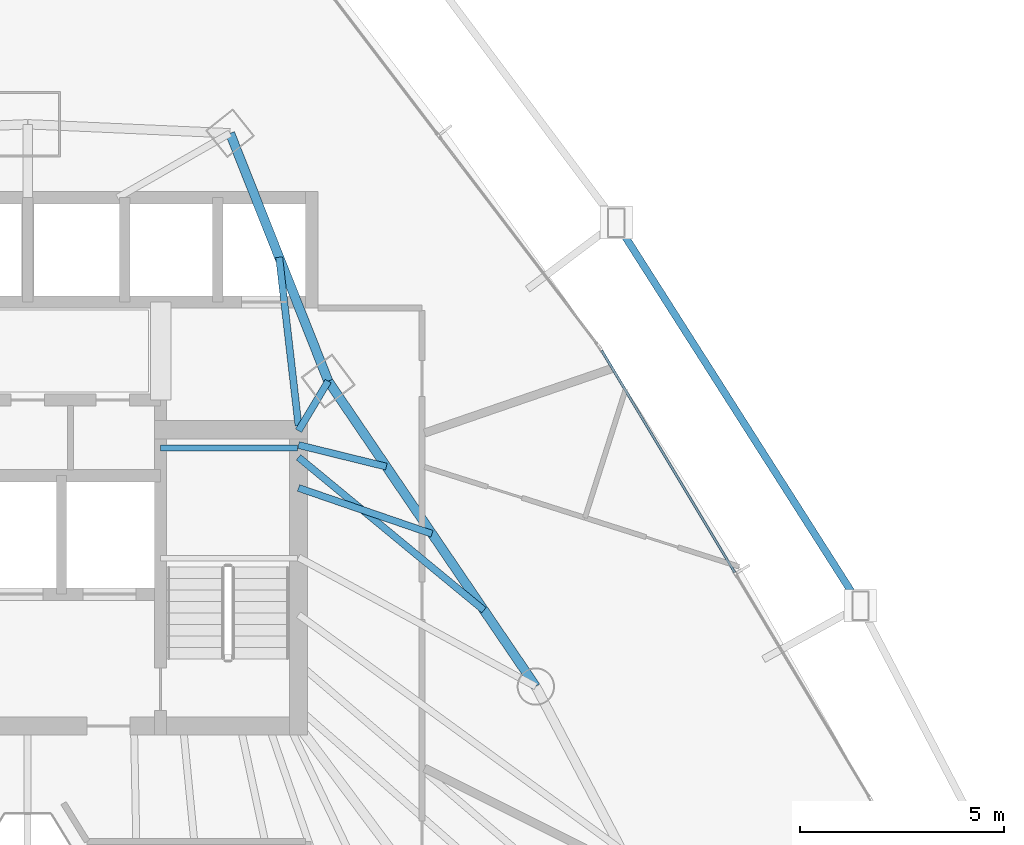
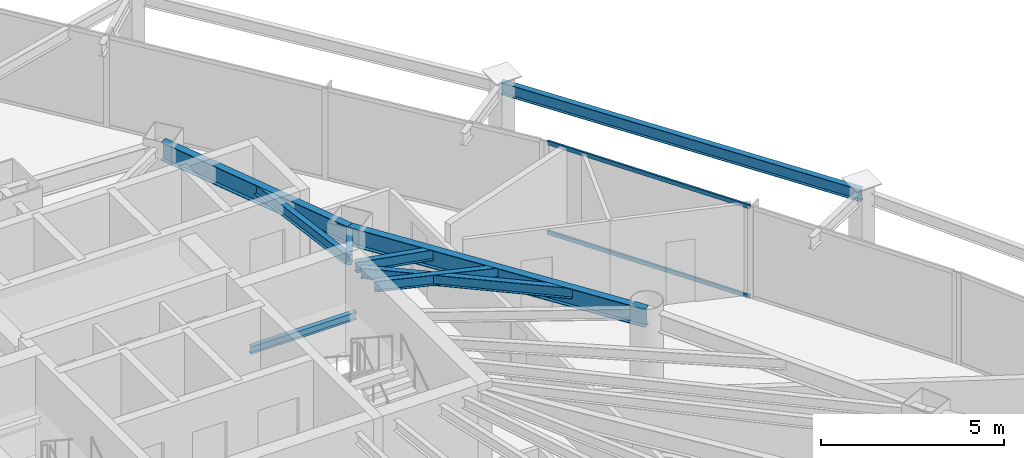
# One storey, part 26 of 35: 9 beams, 2 members, 1 element without a shape of its own.
"""IFC4 building model written with IfcOpenShell, lengths in metres."""

from ifc_helpers import new_model, si_unit, direction, frame, origin, origin_2d, place, context, subcontext, project, spatial, hollow_rectangle, i_section, extrude, material, layer, layer_set, material_profile, profile_set, type_object, element, aggregate, save


model = new_model("IFC4")

# Units and contexts
model_context = context("Model", 3, precision=1e-05, world=origin(), true_north=direction((0.0, 1.0)))
body_context = subcontext(model_context, "Body", "Model", "MODEL_VIEW")
ifc_project = project(units=[si_unit("LENGTHUNIT", "METRE"), si_unit("AREAUNIT", "SQUARE_METRE"), si_unit("VOLUMEUNIT", "CUBIC_METRE"), si_unit("PLANEANGLEUNIT", "RADIAN"), si_unit("MASSUNIT", "GRAM", prefix="KILO")], contexts=[model_context])

# Site, building, storey
site_placement = place(None, origin())
site = spatial("IfcSite", under=ifc_project, at=site_placement, CompositionType="ELEMENT")
building_placement = place(site_placement, origin())
building = spatial("IfcBuilding", under=site, at=building_placement, Name="Orvanel Arch Residences", CompositionType="ELEMENT")
storey_placement = place(building_placement, frame((0.0, 0.0, 40.10009765625)))
storey = spatial("IfcBuildingStorey", under=building, at=storey_placement, Name="L10", CompositionType="ELEMENT", Elevation=40.10009765625)

# Beams
ifc_material_1 = material(Name="Structural steel AS/NZS 3679.1 Grade 300 (300 MPa)", Category="steel")
ifc_material_profile_1 = material_profile(ifc_material_1, i_section(OverallWidth=0.14599609375, OverallDepth=0.251953125, WebThickness=0.006103515625, FlangeThickness=0.008544921875, at=origin_2d()), Name="250UB31.4")
ifc_profile_set_1 = profile_set([ifc_material_profile_1], Name="Structural steel AS/NZS 3679.1 Grade 300 (300 MPa)")
beam_type_1 = type_object("IfcBeamType", Name="BJ-250UB", PredefinedType="JOIST", material=ifc_profile_set_1)
beam_1_placement = place(storey_placement, frame((36.25, 33.47998046875, 1.323974609375), z_axis=(1.0, 0.0, 0.0), x_axis=(0.0, 1.0, 0.0)))
element("IfcBeam", 1, at=beam_1_placement, inside=storey, type_object=beam_type_1, Name="L10 ST-2 Half-Landing Support Beam 1.2", PredefinedType="JOIST", context=body_context, shape_type="SweptSolid", body=[
    extrude(i_section(OverallWidth=0.14599609375, OverallDepth=0.251953125, WebThickness=0.006103515625, FlangeThickness=0.008544921875, at=origin_2d()), origin(), (0.0, 0.0, 1.0), 3.35009765625),
])
ifc_material_profile_2 = material_profile(ifc_material_1, i_section(OverallWidth=0.1708984375, OverallDepth=0.35595703125, WebThickness=0.00732421875, FlangeThickness=0.011474609375, at=origin_2d()), Name="360UB50.7")
ifc_profile_set_2 = profile_set([ifc_material_profile_2], Name="Structural steel AS/NZS 3679.1 Grade 300 (300 MPa)")
beam_type_2 = type_object("IfcBeamType", Name="BJ-360UB", PredefinedType="JOIST", material=ifc_profile_set_2)
beam_2_placement = place(storey_placement, frame((39.625, 33.89990234375, 2.8818359375), z_axis=(0.514064138778, 0.857751748015, 0.0), x_axis=(-0.857751748015, 0.514064138778, 0.0)))
element("IfcBeam", 2, at=beam_2_placement, inside=storey, type_object=beam_type_2, Name="L10 NNE Wing Floor Joist", PredefinedType="JOIST", context=body_context, shape_type="SweptSolid", body=[
    extrude(i_section(OverallWidth=0.1708984375, OverallDepth=0.35595703125, WebThickness=0.00732421875, FlangeThickness=0.011474609375, at=origin_2d()), origin(), (0.0, 0.0, 1.0), 1.414306640625),
])
beam_3_placement = place(storey_placement, frame((39.625, 34.02001953125, 2.8818359375), z_axis=(-0.114186670431, 0.993459311847, 0.0), x_axis=(-0.993459311847, -0.114186670431, 0.0)))
element("IfcBeam", 3, at=beam_3_placement, inside=storey, type_object=beam_type_2, Name="L10 NNE2 Wing Floor Joist", PredefinedType="JOIST", context=body_context, shape_type="SweptSolid", body=[
    extrude(i_section(OverallWidth=0.1708984375, OverallDepth=0.35595703125, WebThickness=0.00732421875, FlangeThickness=0.011474609375, at=origin_2d()), origin(), (0.0, 0.0, 1.0), 4.152099609375),
])
beam_4_placement = place(storey_placement, frame((39.625, 32.5, 2.8818359375), z_axis=(0.945658073701, -0.325162740247, 0.0), x_axis=(0.325162740247, 0.945658073701, 0.0)))
element("IfcBeam", 4, at=beam_4_placement, inside=storey, type_object=beam_type_2, Name="L10 ENE Wing Floor Joist", PredefinedType="JOIST", context=body_context, shape_type="SweptSolid", body=[
    extrude(i_section(OverallWidth=0.1708984375, OverallDepth=0.35595703125, WebThickness=0.00732421875, FlangeThickness=0.011474609375, at=origin_2d()), origin(), (0.0, 0.0, 1.0), 3.453857421875),
])
beam_5_placement = place(storey_placement, frame((39.625, 33.25, 2.8818359375), z_axis=(0.771468562814, -0.636267441089, 0.0), x_axis=(0.636267441089, 0.771468562814, 0.0)))
element("IfcBeam", 5, at=beam_5_placement, inside=storey, type_object=beam_type_2, Name="L10 LE Wing Floor Joist", PredefinedType="JOIST", context=body_context, shape_type="SweptSolid", body=[
    extrude(i_section(OverallWidth=0.1708984375, OverallDepth=0.35595703125, WebThickness=0.00732421875, FlangeThickness=0.011474609375, at=origin_2d()), origin(), (0.0, 0.0, 1.0), 5.879638671875),
])
beam_6_placement = place(storey_placement, frame((39.625, 33.550048828125, 2.8818359375), z_axis=(0.971005818547, -0.239055851942, 0.0), x_axis=(0.239055851942, 0.971005818547, 0.0)))
element("IfcBeam", 6, at=beam_6_placement, inside=storey, type_object=beam_type_2, Name="L10 JADD4 Wing Floor Joist", PredefinedType="JOIST", context=body_context, shape_type="SweptSolid", body=[
    extrude(i_section(OverallWidth=0.1708984375, OverallDepth=0.35595703125, WebThickness=0.00732421875, FlangeThickness=0.011474609375, at=origin_2d()), origin(), (0.0, 0.0, 1.0), 2.213134765625),
])
ifc_material_profile_3 = material_profile(ifc_material_1, i_section(OverallWidth=0.177978515625, OverallDepth=0.406005859375, WebThickness=0.0078125, FlangeThickness=0.0126953125, at=origin_2d()), Name="410UB59.7")
ifc_profile_set_3 = profile_set([ifc_material_profile_3], Name="Structural steel AS/NZS 3679.1 Grade 300 (300 MPa)")
beam_type_3 = type_object("IfcBeamType", Name="OB-410UB-EXT", PredefinedType="SPANDREL", material=ifc_profile_set_3)
beam_7_placement = place(storey_placement, frame((53.37109375, 29.616943359375, 2.85693359375), z_axis=(-0.537298885152, 0.843391906538, 0.0), x_axis=(-0.843391906538, -0.537298885152, 0.0)))
element("IfcBeam", 7, at=beam_7_placement, inside=storey, type_object=beam_type_3, Name="L10 Outer Perimeter Floor Ring Beam 10", PredefinedType="SPANDREL", context=body_context, shape_type="SweptSolid", body=[
    extrude(i_section(OverallWidth=0.177978515625, OverallDepth=0.406005859375, WebThickness=0.0078125, FlangeThickness=0.0126953125, at=origin_2d()), origin(), (0.0, 0.0, 1.0), 11.116943359375),
])
ifc_material_profile_4 = material_profile(ifc_material_1, i_section(OverallWidth=0.22900390625, OverallDepth=0.612060546875, WebThickness=0.011962890625, FlangeThickness=0.01953125, at=origin_2d()), Name="610UB125")
ifc_profile_set_4 = profile_set([ifc_material_profile_4], Name="Structural steel AS/NZS 3679.1 Grade 300 (300 MPa)")
beam_type_4 = type_object("IfcBeamType", Name="SP-610UB", PredefinedType="SPANDREL", material=ifc_profile_set_4)
beam_8_placement = place(storey_placement, frame((45.430908203125, 27.64111328125, 2.75390625), z_axis=(-0.562154793153, 0.827032035978, 0.0), x_axis=(-0.827032035978, -0.562154793153, 0.0)))
element("IfcBeam", 8, at=beam_8_placement, inside=storey, type_object=beam_type_4, Name="L10 Perimeter Spandrel Beam 14", PredefinedType="SPANDREL", context=body_context, shape_type="SweptSolid", body=[
    extrude(i_section(OverallWidth=0.22900390625, OverallDepth=0.612060546875, WebThickness=0.011962890625, FlangeThickness=0.01953125, at=origin_2d()), origin(), (0.0, 0.0, 1.0), 9.03466796875),
])
beam_9_placement = place(storey_placement, frame((40.35205078125, 35.113037109375, 2.75390625), z_axis=(-0.368233143579, 0.929733484376, 0.0), x_axis=(-0.929733484376, -0.368233143579, 0.0)))
element("IfcBeam", 9, at=beam_9_placement, inside=storey, type_object=beam_type_4, Name="L10 Perimeter Spandrel Beam 15", PredefinedType="SPANDREL", context=body_context, shape_type="SweptSolid", body=[
    extrude(i_section(OverallWidth=0.22900390625, OverallDepth=0.612060546875, WebThickness=0.011962890625, FlangeThickness=0.01953125, at=origin_2d()), origin(), (0.0, 0.0, 1.0), 6.523193359375),
])

# Curtain wall, members
ifc_material_2 = material(Name="Bronze-anodised aluminium AA6063-T6", Category="aluminium")
ifc_layer = layer(ifc_material_2, 0.179931640625)
ifc_layer_set = layer_set([ifc_layer], Name="Bronze-anodised aluminium AA6063-T6")
curtain_wall_type = type_object("IfcCurtainWallType", Name="CW2-LOW-SYS", PredefinedType="NOTDEFINED", material=ifc_layer_set)
curtain_wall_placement = place(storey_placement, origin())
curtain_wall = element("IfcCurtainWall", 10, at=curtain_wall_placement, inside=storey, type_object=curtain_wall_type, Name="L10 CW2-LOW-SYS Unitised Curtain Wall", PredefinedType="NOTDEFINED")
ifc_material_profile_5 = material_profile(ifc_material_2, hollow_rectangle(XDim=0.06005859375, YDim=0.135009765625, WallThickness=0.00390625, at=origin_2d()), Name="ALU135x60x4")
ifc_profile_set_5 = profile_set([ifc_material_profile_5], Name="Bronze-anodised aluminium AA6063-T6")
member_type = type_object("IfcMemberType", Name="TRN-135x60", PredefinedType="USERDEFINED", material=ifc_profile_set_5)
member_1_placement = place(storey_placement, frame((50.29638671875, 30.43310546875, 0.02978515625), z_axis=(-0.514376760477, 0.857564311455, 0.0), x_axis=(-0.857564311455, -0.514376760477, 0.0)))
member_1 = element("IfcMember", 11, at=member_1_placement, type_object=member_type, Name="CW-S2 transom 2.1", ObjectType="TRANSOM", PredefinedType="USERDEFINED", context=body_context, shape_type="SweptSolid", body=[
    extrude(hollow_rectangle(XDim=0.06005859375, YDim=0.135009765625, WallThickness=0.00390625, at=origin_2d()), origin(), (0.0, 0.0, 1.0), 6.33642578125),
])
member_2_placement = place(storey_placement, frame((50.29638671875, 30.43310546875, 3.02978515625), z_axis=(-0.514376760477, 0.857564311455, 0.0), x_axis=(-0.857564311455, -0.514376760477, 0.0)))
member_2 = element("IfcMember", 12, at=member_2_placement, type_object=member_type, Name="CW-S2 transom 2.2", ObjectType="TRANSOM", PredefinedType="USERDEFINED", context=body_context, shape_type="SweptSolid", body=[
    extrude(hollow_rectangle(XDim=0.06005859375, YDim=0.135009765625, WallThickness=0.00390625, at=origin_2d()), origin(), (0.0, 0.0, 1.0), 6.33642578125),
])
aggregate(curtain_wall, [member_1, member_2])

save(model, "model.ifc")
